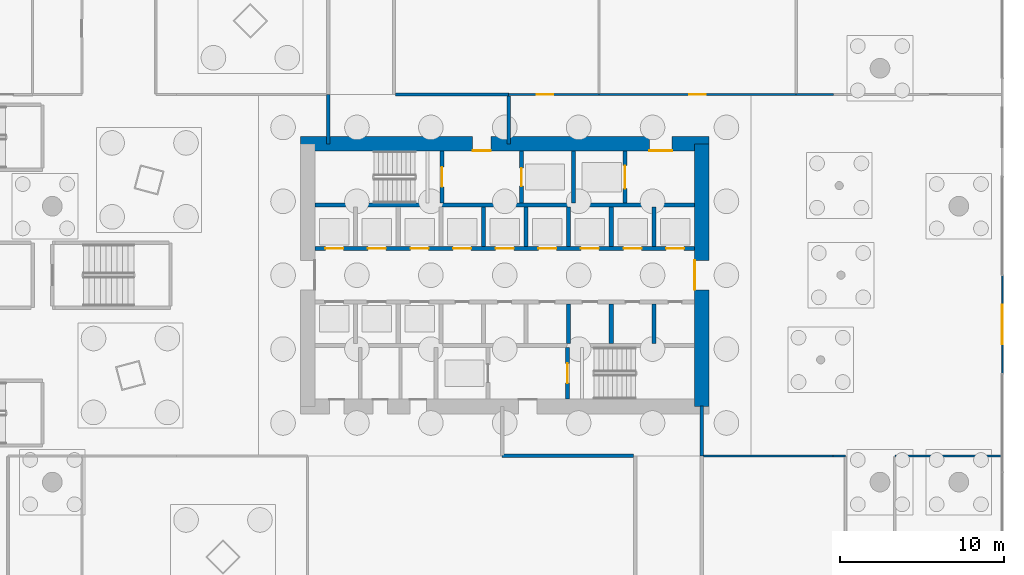
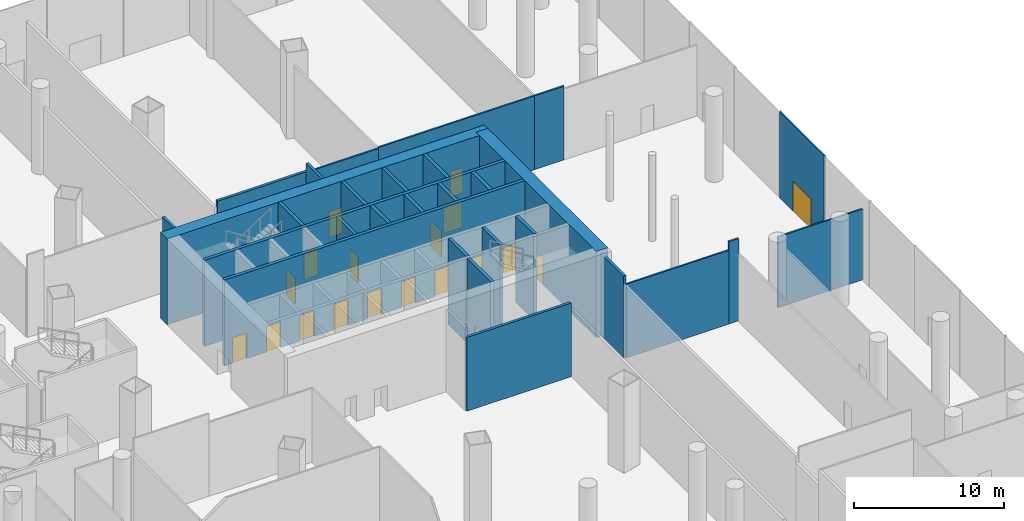
# One storey, part 32 of 41: 29 walls, 19 doors, 19 openings.
"""IFC4 building model written with IfcOpenShell, lengths in metres."""

from ifc_helpers import new_model, si_unit, direction, frame, frame_2d, origin, place, context, subcontext, project, spatial, rectangle, extrude, material, layer, layer_set, type_object, element, fill, save


model = new_model("IFC4")

# Units and contexts
model_context = context("Model", 3, precision=1e-05, world=origin(), true_north=direction((0.0, 1.0)))
body_context = subcontext(model_context, "Body", "Model", "MODEL_VIEW")
ifc_project = project(units=[si_unit("LENGTHUNIT", "METRE"), si_unit("AREAUNIT", "SQUARE_METRE"), si_unit("VOLUMEUNIT", "CUBIC_METRE"), si_unit("PLANEANGLEUNIT", "RADIAN"), si_unit("MASSUNIT", "GRAM", prefix="KILO")], contexts=[model_context])

# Site, building, storey
site_placement = place(None, origin())
site = spatial("IfcSite", under=ifc_project, at=site_placement, CompositionType="ELEMENT")
building_placement = place(site_placement, origin())
building = spatial("IfcBuilding", under=site, at=building_placement, Name="Rimbun Link Towers", CompositionType="ELEMENT")
storey_placement = place(building_placement, origin())
storey = spatial("IfcBuildingStorey", under=building, at=storey_placement, Name="L00", CompositionType="ELEMENT", Elevation=0.0)

# Wall, openings, doors
ifc_material_1 = material(Name="Concrete C60/75", Category="concrete")
ifc_layer_1 = layer(ifc_material_1, 0.89990234375)
ifc_layer_set_1 = layer_set([ifc_layer_1], Name="Core shear wall 900")
wall_type_1 = type_object("IfcWallType", Name="Core shear wall 900", PredefinedType="SHEAR", material=ifc_layer_set_1)
wall_1_placement = place(storey_placement, frame((19.300048828125, 8.0, 0.0), z_axis=(0.0, 0.0, 1.0), x_axis=(1.0, 0.0, 0.0)))
wall_1 = element("IfcWall", 1, at=wall_1_placement, inside=storey, type_object=wall_type_1, Name="L00 T2 core wall N", PredefinedType="SHEAR", context=body_context, shape_type="SweptSolid", body=[
    extrude(rectangle(XDim=24.89990234375, YDim=0.89990234375, at=frame_2d((12.449951171875, 0.0))), origin(), (0.0, 0.0, 1.0), 7.0),
])
opening_1_placement = place(wall_1_placement, frame((10.5, 0.0, 0.0)))
opening_1 = element("IfcOpeningElement", 2, at=opening_1_placement, cuts=wall_1, Name="Opening C2DCF01N", PredefinedType="OPENING", context=body_context, shape_type="SweptSolid", body=[
    extrude(rectangle(XDim=1.10009765625, YDim=2.10009765625, at=frame_2d((0.550048828125, 1.050048828125))), frame((0.0, 0.4599609375, 0.0), z_axis=(0.0, -1.0, 0.0), x_axis=(1.0, 0.0, 0.0)), (0.0, 0.0, 1.0), 0.919921875),
])
opening_2_placement = place(wall_1_placement, frame((21.25, 0.0, 0.0)))
opening_2 = element("IfcOpeningElement", 3, at=opening_2_placement, cuts=wall_1, Name="Opening C2DSL02N", PredefinedType="OPENING", context=body_context, shape_type="SweptSolid", body=[
    extrude(rectangle(XDim=1.39990234375, YDim=2.10009765625, at=frame_2d((0.699951171875, 1.050048828125))), frame((0.0, 0.4599609375, 0.0), z_axis=(0.0, -1.0, 0.0), x_axis=(1.0, 0.0, 0.0)), (0.0, 0.0, 1.0), 0.919921875),
])
ifc_material_2 = material(Name="Steel fire door set", Category="steel")
door_type_1 = type_object("IfcDoorType", Name="Core fire door single", OperationType="SINGLE_SWING_LEFT", PredefinedType="DOOR", material=ifc_material_2)
door_1_placement = place(opening_1_placement, origin())
door_1 = element("IfcDoor", 4, at=door_1_placement, inside=storey, type_object=door_type_1, Name="L00 T2 firefighting lobby n door", OperationType="SINGLE_SWING_LEFT", OverallHeight=2.10009765625, OverallWidth=1.10009765625, PredefinedType="DOOR", context=body_context, shape_type="SweptSolid", body=[
    extrude(rectangle(XDim=1.10009765625, YDim=2.10009765625, at=frame_2d((0.550048828125, 1.050048828125))), frame((0.0, -0.39990234375, 0.0), z_axis=(0.0, -1.0, 0.0), x_axis=(1.0, 0.0, 0.0)), (0.0, 0.0, 1.0), 0.050048828125),
])
fill(opening_1, door_1)
ifc_material_3 = material(Name="Steel fire door set", Category="steel")
door_type_2 = type_object("IfcDoorType", Name="Service lobby door double", OperationType="DOUBLE_DOOR_SINGLE_SWING", PredefinedType="DOOR", material=ifc_material_3)
door_2_placement = place(opening_2_placement, origin())
door_2 = element("IfcDoor", 5, at=door_2_placement, inside=storey, type_object=door_type_2, Name="L00 T2 service lobby door", OperationType="DOUBLE_DOOR_SINGLE_SWING", OverallHeight=2.10009765625, OverallWidth=1.39990234375, PredefinedType="DOOR", context=body_context, shape_type="SweptSolid", body=[
    extrude(rectangle(XDim=1.39990234375, YDim=2.10009765625, at=frame_2d((0.699951171875, 1.050048828125))), frame((0.0, -0.39990234375, 0.0), z_axis=(0.0, -1.0, 0.0), x_axis=(1.0, 0.0, 0.0)), (0.0, 0.0, 1.0), 0.050048828125),
])
fill(opening_2, door_2)

# Wall, opening, door
wall_2_placement = place(storey_placement, frame((43.75, -8.0, 0.0), z_axis=(0.0, 0.0, 1.0), x_axis=(0.0, 1.0, 0.0)))
wall_2 = element("IfcWall", 6, at=wall_2_placement, inside=storey, type_object=wall_type_1, Name="L00 T2 core wall E", PredefinedType="SHEAR", context=body_context, shape_type="SweptSolid", body=[
    extrude(rectangle(XDim=16.0, YDim=0.89990234375, at=frame_2d((8.0, 0.0))), origin(), (0.0, 0.0, 1.0), 7.0),
])
opening_3_placement = place(wall_2_placement, frame((7.10009765625, 0.0, 0.0)))
opening_3 = element("IfcOpeningElement", 7, at=opening_3_placement, cuts=wall_2, Name="Opening C2DCL01E", PredefinedType="OPENING", context=body_context, shape_type="SweptSolid", body=[
    extrude(rectangle(XDim=1.800048828125, YDim=2.10009765625, at=frame_2d((0.89990234375, 1.050048828125))), frame((0.0, 0.4599609375, 0.0), z_axis=(0.0, -1.0, 0.0), x_axis=(1.0, 0.0, 0.0)), (0.0, 0.0, 1.0), 0.919921875),
])
ifc_material_4 = material(Name="Steel fire door set", Category="steel")
door_type_3 = type_object("IfcDoorType", Name="Core lobby door double", OperationType="DOUBLE_DOOR_SINGLE_SWING", PredefinedType="DOOR", material=ifc_material_4)
door_3_placement = place(opening_3_placement, origin())
door_3 = element("IfcDoor", 8, at=door_3_placement, inside=storey, type_object=door_type_3, Name="L00 T2 lift lobby door", OperationType="DOUBLE_DOOR_SINGLE_SWING", OverallHeight=2.10009765625, OverallWidth=1.800048828125, PredefinedType="DOOR", context=body_context, shape_type="SweptSolid", body=[
    extrude(rectangle(XDim=1.800048828125, YDim=2.10009765625, at=frame_2d((0.89990234375, 1.050048828125))), frame((0.0, 0.4501953125, 0.0), z_axis=(0.0, -1.0, 0.0), x_axis=(1.0, 0.0, 0.0)), (0.0, 0.0, 1.0), 0.050048828125),
])
fill(opening_3, door_3)

ifc_material_5 = material(Name="Aluminium framed insulated infill panel", Category="aluminium")
ifc_layer_2 = layer(ifc_material_5, 0.10009765625)
ifc_layer_set_2 = layer_set([ifc_layer_2], Name="ED framed infill wall 100")
wall_type_2 = type_object("IfcWallType", Name="ED framed infill wall 100", PredefinedType="STANDARD", material=ifc_layer_set_2)
wall_3_placement = place(storey_placement, frame((62.050048828125, -0.02001953125, 0.0), z_axis=(0.0, 0.0, 1.0), x_axis=(0.0, -1.0, 0.0)))
wall_3 = element("IfcWall", 9, at=wall_3_placement, inside=storey, type_object=wall_type_2, Name="Framed door bay wall", PredefinedType="STANDARD", context=body_context, shape_type="SweptSolid", body=[
    extrude(rectangle(XDim=5.9599609375, YDim=0.10009765625, at=frame_2d((2.97998046875, 0.0))), origin(), (0.0, 0.0, 1.0), 7.0),
])
opening_4_placement = place(wall_3_placement, frame((1.780029296875, 0.0, 0.0)))
opening_4 = element("IfcOpeningElement", 10, at=opening_4_placement, cuts=wall_3, Name="Opening ED02", PredefinedType="OPENING", context=body_context, shape_type="SweptSolid", body=[
    extrude(rectangle(XDim=2.39990234375, YDim=2.39990234375, at=frame_2d((1.199951171875, 1.199951171875))), frame((0.0, 0.06005859375, 0.0), z_axis=(0.0, -1.0, 0.0), x_axis=(1.0, 0.0, 0.0)), (0.0, 0.0, 1.0), 0.1201171875),
])
ifc_material_6 = material(Name="Aluminium framed glazed door, low-iron glass", Category="aluminium")
door_type_4 = type_object("IfcDoorType", Name="ED entrance door double leaf 2400X2400", OperationType="DOUBLE_DOOR_SINGLE_SWING", PredefinedType="DOOR", material=ifc_material_6)
door_4_placement = place(opening_4_placement, origin())
door_4 = element("IfcDoor", 11, at=door_4_placement, inside=storey, type_object=door_type_4, Name="Entrance door", OperationType="SINGLE_SWING_LEFT", OverallHeight=2.39990234375, OverallWidth=2.39990234375, PredefinedType="DOOR", context=body_context, shape_type="SweptSolid", body=[
    extrude(rectangle(XDim=2.39990234375, YDim=2.39990234375, at=frame_2d((1.199951171875, 1.199951171875))), frame((0.0, 0.02490234375, 0.0), z_axis=(0.0, -1.0, 0.0), x_axis=(1.0, 0.0, 0.0)), (0.0, 0.0, 1.0), 0.050048828125),
])
fill(opening_4, door_4)

# Walls
ifc_material_7 = material(Name="Concrete blockwork", Category="masonry")
ifc_layer_3 = layer(ifc_material_7, 0.199951171875)
ifc_layer_set_3 = layer_set([ifc_layer_3], Name="Fire partition 200 blockwork")
wall_type_3 = type_object("IfcWallType", Name="Fire partition 200 blockwork", PredefinedType="PARTITIONING", material=ifc_layer_set_3)
wall_4_placement = place(storey_placement, frame((21.0, 11.0, 0.0), z_axis=(0.0, 0.0, 1.0), x_axis=(0.0, -1.0, 0.0)))
element("IfcWall", 12, at=wall_4_placement, inside=storey, type_object=wall_type_3, Name="PD/PW/L00/045", PredefinedType="PARTITIONING", context=body_context, shape_type="SweptSolid", body=[
    extrude(rectangle(XDim=3.0, YDim=0.199951171875, at=frame_2d((1.5, 0.0))), origin(), (0.0, 0.0, 1.0), 6.14697265625),
])
wall_5_placement = place(storey_placement, frame((32.0, 8.0, 0.0), z_axis=(0.0, 0.0, 1.0), x_axis=(0.0, 1.0, 0.0)))
element("IfcWall", 13, at=wall_5_placement, inside=storey, type_object=wall_type_3, Name="PD/PW/L00/046", PredefinedType="PARTITIONING", context=body_context, shape_type="SweptSolid", body=[
    extrude(rectangle(XDim=2.89990234375, YDim=0.199951171875, at=frame_2d((1.449951171875, 0.0))), origin(), (0.0, 0.0, 1.0), 6.699951171875),
])
wall_6_placement = place(storey_placement, frame((32.02001953125, 11.0, 0.0), z_axis=(0.0, 0.0, 1.0), x_axis=(-1.0, 0.0, 0.0)))
element("IfcWall", 14, at=wall_6_placement, inside=storey, type_object=wall_type_3, Name="PD/PW/L00/049", PredefinedType="PARTITIONING", context=body_context, shape_type="SweptSolid", body=[
    extrude(rectangle(XDim=6.919921875, YDim=0.199951171875, at=frame_2d((3.4599609375, 0.0))), origin(), (0.0, 0.0, 1.0), 5.99609375),
])
wall_7_placement = place(storey_placement, frame((43.75, -11.0, 0.0), z_axis=(0.0, 0.0, 1.0), x_axis=(0.0, 1.0, 0.0)))
element("IfcWall", 15, at=wall_7_placement, inside=storey, type_object=wall_type_3, Name="PD/PW/L00/051", PredefinedType="PARTITIONING", context=body_context, shape_type="SweptSolid", body=[
    extrude(rectangle(XDim=3.02001953125, YDim=0.199951171875, at=frame_2d((1.510009765625, 0.0))), origin(), (0.0, 0.0, 1.0), 6.699951171875),
])
wall_8_placement = place(storey_placement, frame((31.580078125, -11.0, 0.0), z_axis=(0.0, 0.0, 1.0), x_axis=(1.0, 0.0, 0.0)))
element("IfcWall", 16, at=wall_8_placement, inside=storey, type_object=wall_type_3, Name="PD/PW/L00/053", PredefinedType="PARTITIONING", context=body_context, shape_type="SweptSolid", body=[
    extrude(rectangle(XDim=8.02001953125, YDim=0.199951171875, at=frame_2d((4.010009765625, 0.0))), origin(), (0.0, 0.0, 1.0), 5.99609375),
])
ifc_material_8 = material(Name="Gypsum board on steel studs", Category="steel")
ifc_layer_4 = layer(ifc_material_8, 0.125)
ifc_layer_set_4 = layer_set([ifc_layer_4], Name="Partition 125 board on studs")
wall_type_4 = type_object("IfcWallType", Name="Partition 125 board on studs", PredefinedType="PARTITIONING", material=ifc_layer_set_4)
wall_9_placement = place(storey_placement, frame((43.85009765625, -11.0, 0.0), z_axis=(0.0, 0.0, 1.0), x_axis=(1.0, 0.0, 0.0)))
element("IfcWall", 17, at=wall_9_placement, inside=storey, type_object=wall_type_4, Name="PD/PW/L00/064", PredefinedType="PARTITIONING", context=body_context, shape_type="SweptSolid", body=[
    extrude(rectangle(XDim=7.919921875, YDim=0.125, at=frame_2d((3.9599609375, 0.0))), origin(), (0.0, 0.0, 1.0), 5.99609375),
])

# Wall, opening, door
wall_10_placement = place(storey_placement, frame((37.5, 11.0, 0.0), z_axis=(0.0, 0.0, 1.0), x_axis=(-1.0, 0.0, 0.0)))
wall_10 = element("IfcWall", 18, at=wall_10_placement, inside=storey, type_object=wall_type_4, Name="PD/PW/L00/065", PredefinedType="PARTITIONING", context=body_context, shape_type="SweptSolid", body=[
    extrude(rectangle(XDim=5.52001953125, YDim=0.125, at=frame_2d((2.760009765625, 0.0))), origin(), (0.0, 0.0, 1.0), 5.91796875),
])
opening_5_placement = place(wall_10_placement, frame((2.802978515625, 0.0, 0.0)))
opening_5 = element("IfcOpeningElement", 19, at=opening_5_placement, cuts=wall_10, Name="Opening PD D00.24", PredefinedType="OPENING", context=body_context, shape_type="SweptSolid", body=[
    extrude(rectangle(XDim=1.0, YDim=2.10009765625, at=frame_2d((0.5, 1.050048828125))), frame((0.0, 0.072509765625, 0.0), z_axis=(0.0, -1.0, 0.0), x_axis=(1.0, 0.0, 0.0)), (0.0, 0.0, 1.0), 0.14501953125),
])
ifc_material_9 = material(Name="Timber door set", Category="wood")
door_type_5 = type_object("IfcDoorType", Name="Door single leaf 1000 x 2100", OperationType="NOTDEFINED", PredefinedType="DOOR", material=ifc_material_9)
door_5_placement = place(opening_5_placement, origin())
door_5 = element("IfcDoor", 20, at=door_5_placement, inside=storey, type_object=door_type_5, Name="PD/DR/L00/024", OperationType="SINGLE_SWING_LEFT", OverallHeight=2.10009765625, OverallWidth=1.0, PredefinedType="DOOR", context=body_context, shape_type="SweptSolid", body=[
    extrude(rectangle(XDim=1.0, YDim=2.10009765625, at=frame_2d((0.5, 1.050048828125))), frame((0.0, 0.02490234375, 0.0), z_axis=(0.0, -1.0, 0.0), x_axis=(1.0, 0.0, 0.0)), (0.0, 0.0, 1.0), 0.050048828125),
])
fill(opening_5, door_5)

wall_11_placement = place(storey_placement, frame((49.5, 11.0, 0.0), z_axis=(0.0, 0.0, 1.0), x_axis=(-1.0, 0.0, 0.0)))
wall_11 = element("IfcWall", 21, at=wall_11_placement, inside=storey, type_object=wall_type_4, Name="PD/PW/L00/066", PredefinedType="PARTITIONING", context=body_context, shape_type="SweptSolid", body=[
    extrude(rectangle(XDim=12.0, YDim=0.125, at=frame_2d((6.0, 0.0))), origin(), (0.0, 0.0, 1.0), 5.99609375),
])
opening_6_placement = place(wall_11_placement, frame((5.5, 0.0, 0.0)))
opening_6 = element("IfcOpeningElement", 22, at=opening_6_placement, cuts=wall_11, Name="Opening PD D00.25", PredefinedType="OPENING", context=body_context, shape_type="SweptSolid", body=[
    extrude(rectangle(XDim=1.0, YDim=2.10009765625, at=frame_2d((0.5, 1.050048828125))), frame((0.0, 0.072509765625, 0.0), z_axis=(0.0, -1.0, 0.0), x_axis=(1.0, 0.0, 0.0)), (0.0, 0.0, 1.0), 0.14501953125),
])
door_6_placement = place(opening_6_placement, origin())
door_6 = element("IfcDoor", 23, at=door_6_placement, inside=storey, type_object=door_type_5, Name="PD/DR/L00/025", OperationType="SINGLE_SWING_RIGHT", OverallHeight=2.10009765625, OverallWidth=1.0, PredefinedType="DOOR", context=body_context, shape_type="SweptSolid", body=[
    extrude(rectangle(XDim=1.0, YDim=2.10009765625, at=frame_2d((0.5, 1.050048828125))), frame((0.0, 0.02490234375, 0.0), z_axis=(0.0, -1.0, 0.0), x_axis=(1.0, 0.0, 0.0)), (0.0, 0.0, 1.0), 0.050048828125),
])
fill(opening_6, door_6)

# Walls
wall_12_placement = place(storey_placement, frame((51.77001953125, 11.0, 0.0), z_axis=(0.0, 0.0, 1.0), x_axis=(-1.0, 0.0, 0.0)))
element("IfcWall", 24, at=wall_12_placement, inside=storey, type_object=wall_type_4, Name="PD/PW/L00/067", PredefinedType="PARTITIONING", context=body_context, shape_type="SweptSolid", body=[
    extrude(rectangle(XDim=2.27001953125, YDim=0.125, at=frame_2d((1.135009765625, 0.0))), origin(), (0.0, 0.0, 1.0), 5.99609375),
])
wall_13_placement = place(storey_placement, frame((51.72998046875, -11.0, 0.0), z_axis=(0.0, 0.0, 1.0), x_axis=(1.0, 0.0, 0.0)))
element("IfcWall", 25, at=wall_13_placement, inside=storey, type_object=wall_type_4, Name="PD/PW/L00/071", PredefinedType="PARTITIONING", context=body_context, shape_type="SweptSolid", body=[
    extrude(rectangle(XDim=0.77001953125, YDim=0.125, at=frame_2d((0.385009765625, 0.0))), origin(), (0.0, 0.0, 1.0), 6.699951171875),
])
wall_14_placement = place(storey_placement, frame((55.5, -11.0, 0.0), z_axis=(0.0, 0.0, 1.0), x_axis=(1.0, 0.0, 0.0)))
element("IfcWall", 26, at=wall_14_placement, inside=storey, type_object=wall_type_4, Name="PD/PW/L00/072", PredefinedType="PARTITIONING", context=body_context, shape_type="SweptSolid", body=[
    extrude(rectangle(XDim=6.580078125, YDim=0.125, at=frame_2d((3.2900390625, 0.0))), origin(), (0.0, 0.0, 1.0), 5.761962890625),
])
ifc_material_10 = material(Name="Concrete C60/75", Category="concrete")
ifc_layer_5 = layer(ifc_material_10, 0.25)
ifc_layer_set_5 = layer_set([ifc_layer_5], Name="Shaft wall 250")
wall_type_5 = type_object("IfcWallType", Name="Shaft wall 250", PredefinedType="SHEAR", material=ifc_layer_set_5)
wall_15_placement = place(storey_placement, frame((20.199951171875, 4.27490234375, 0.0), z_axis=(0.0, 0.0, 1.0), x_axis=(1.0, 0.0, 0.0)))
element("IfcWall", 27, at=wall_15_placement, inside=storey, type_object=wall_type_5, Name="L00 T2 core wall BN", PredefinedType="SHEAR", context=body_context, shape_type="SweptSolid", body=[
    extrude(rectangle(XDim=23.10009765625, YDim=0.25, at=frame_2d((11.550048828125, 0.0))), origin(), (0.0, 0.0, 1.0), 7.0),
])

# Wall, openings, doors
wall_16_placement = place(storey_placement, frame((20.199951171875, 1.625, 0.0), z_axis=(0.0, 0.0, 1.0), x_axis=(1.0, 0.0, 0.0)))
wall_16 = element("IfcWall", 28, at=wall_16_placement, inside=storey, type_object=wall_type_5, Name="L00 T2 core wall FN", PredefinedType="SHEAR", context=body_context, shape_type="SweptSolid", body=[
    extrude(rectangle(XDim=23.10009765625, YDim=0.25, at=frame_2d((11.550048828125, 0.0))), origin(), (0.0, 0.0, 1.0), 7.0),
])
opening_7_placement = place(wall_16_placement, frame((0.622314453125, 0.0, 0.0)))
opening_7 = element("IfcOpeningElement", 29, at=opening_7_placement, cuts=wall_16, Name="Opening LD-T2-LR1", PredefinedType="OPENING", context=body_context, shape_type="SweptSolid", body=[
    extrude(rectangle(XDim=1.10009765625, YDim=2.10009765625, at=frame_2d((0.550048828125, 1.050048828125))), frame((0.0, 0.135009765625, 0.0), z_axis=(0.0, -1.0, 0.0), x_axis=(1.0, 0.0, 0.0)), (0.0, 0.0, 1.0), 0.27001953125),
])
opening_8_placement = place(wall_16_placement, frame((3.216796875, 0.0, 0.0)))
opening_8 = element("IfcOpeningElement", 30, at=opening_8_placement, cuts=wall_16, Name="Opening LD-T2-LR2", PredefinedType="OPENING", context=body_context, shape_type="SweptSolid", body=[
    extrude(rectangle(XDim=1.10009765625, YDim=2.10009765625, at=frame_2d((0.550048828125, 1.050048828125))), frame((0.0, 0.135009765625, 0.0), z_axis=(0.0, -1.0, 0.0), x_axis=(1.0, 0.0, 0.0)), (0.0, 0.0, 1.0), 0.27001953125),
])
opening_9_placement = place(wall_16_placement, frame((5.81103515625, 0.0, 0.0)))
opening_9 = element("IfcOpeningElement", 31, at=opening_9_placement, cuts=wall_16, Name="Opening LD-T2-LR3", PredefinedType="OPENING", context=body_context, shape_type="SweptSolid", body=[
    extrude(rectangle(XDim=1.10009765625, YDim=2.10009765625, at=frame_2d((0.550048828125, 1.050048828125))), frame((0.0, 0.135009765625, 0.0), z_axis=(0.0, -1.0, 0.0), x_axis=(1.0, 0.0, 0.0)), (0.0, 0.0, 1.0), 0.27001953125),
])
opening_10_placement = place(wall_16_placement, frame((8.405517578125, 0.0, 0.0)))
opening_10 = element("IfcOpeningElement", 32, at=opening_10_placement, cuts=wall_16, Name="Opening LD-T2-LR4", PredefinedType="OPENING", context=body_context, shape_type="SweptSolid", body=[
    extrude(rectangle(XDim=1.10009765625, YDim=2.10009765625, at=frame_2d((0.550048828125, 1.050048828125))), frame((0.0, 0.135009765625, 0.0), z_axis=(0.0, -1.0, 0.0), x_axis=(1.0, 0.0, 0.0)), (0.0, 0.0, 1.0), 0.27001953125),
])
opening_11_placement = place(wall_16_placement, frame((11.0, 0.0, 0.0)))
opening_11 = element("IfcOpeningElement", 33, at=opening_11_placement, cuts=wall_16, Name="Opening LD-T2-LR5", PredefinedType="OPENING", context=body_context, shape_type="SweptSolid", body=[
    extrude(rectangle(XDim=1.10009765625, YDim=2.10009765625, at=frame_2d((0.550048828125, 1.050048828125))), frame((0.0, 0.135009765625, 0.0), z_axis=(0.0, -1.0, 0.0), x_axis=(1.0, 0.0, 0.0)), (0.0, 0.0, 1.0), 0.27001953125),
])
opening_12_placement = place(wall_16_placement, frame((13.594482421875, 0.0, 0.0)))
opening_12 = element("IfcOpeningElement", 34, at=opening_12_placement, cuts=wall_16, Name="Opening LD-T2-LR6", PredefinedType="OPENING", context=body_context, shape_type="SweptSolid", body=[
    extrude(rectangle(XDim=1.10009765625, YDim=2.10009765625, at=frame_2d((0.550048828125, 1.050048828125))), frame((0.0, 0.135009765625, 0.0), z_axis=(0.0, -1.0, 0.0), x_axis=(1.0, 0.0, 0.0)), (0.0, 0.0, 1.0), 0.27001953125),
])
opening_13_placement = place(wall_16_placement, frame((16.18896484375, 0.0, 0.0)))
opening_13 = element("IfcOpeningElement", 35, at=opening_13_placement, cuts=wall_16, Name="Opening LD-T2-SH1", PredefinedType="OPENING", context=body_context, shape_type="SweptSolid", body=[
    extrude(rectangle(XDim=1.10009765625, YDim=2.10009765625, at=frame_2d((0.550048828125, 1.050048828125))), frame((0.0, 0.135009765625, 0.0), z_axis=(0.0, -1.0, 0.0), x_axis=(1.0, 0.0, 0.0)), (0.0, 0.0, 1.0), 0.27001953125),
])
opening_14_placement = place(wall_16_placement, frame((18.783203125, 0.0, 0.0)))
opening_14 = element("IfcOpeningElement", 36, at=opening_14_placement, cuts=wall_16, Name="Opening LD-T2-SH2", PredefinedType="OPENING", context=body_context, shape_type="SweptSolid", body=[
    extrude(rectangle(XDim=1.10009765625, YDim=2.10009765625, at=frame_2d((0.550048828125, 1.050048828125))), frame((0.0, 0.135009765625, 0.0), z_axis=(0.0, -1.0, 0.0), x_axis=(1.0, 0.0, 0.0)), (0.0, 0.0, 1.0), 0.27001953125),
])
opening_15_placement = place(wall_16_placement, frame((21.377685546875, 0.0, 0.0)))
opening_15 = element("IfcOpeningElement", 37, at=opening_15_placement, cuts=wall_16, Name="Opening LD-T2-SH3", PredefinedType="OPENING", context=body_context, shape_type="SweptSolid", body=[
    extrude(rectangle(XDim=1.10009765625, YDim=2.10009765625, at=frame_2d((0.550048828125, 1.050048828125))), frame((0.0, 0.135009765625, 0.0), z_axis=(0.0, -1.0, 0.0), x_axis=(1.0, 0.0, 0.0)), (0.0, 0.0, 1.0), 0.27001953125),
])
ifc_material_11 = material(Name="Stainless steel grade 316", Category="steel")
door_type_6 = type_object("IfcDoorType", Name="Lift landing door", OperationType="DOUBLE_DOOR_SLIDING", PredefinedType="DOOR", material=ifc_material_11)
door_7_placement = place(opening_7_placement, origin())
door_7 = element("IfcDoor", 38, at=door_7_placement, inside=storey, type_object=door_type_6, Name="L00 T2 lift LR1 landing door", OperationType="DOUBLE_DOOR_SLIDING", OverallHeight=2.10009765625, OverallWidth=1.10009765625, PredefinedType="DOOR", context=body_context, shape_type="SweptSolid", body=[
    extrude(rectangle(XDim=1.10009765625, YDim=2.10009765625, at=frame_2d((0.550048828125, 1.050048828125))), frame((0.0, 0.02490234375, 0.0), z_axis=(0.0, -1.0, 0.0), x_axis=(1.0, 0.0, 0.0)), (0.0, 0.0, 1.0), 0.050048828125),
])
fill(opening_7, door_7)
door_8_placement = place(opening_8_placement, origin())
door_8 = element("IfcDoor", 39, at=door_8_placement, inside=storey, type_object=door_type_6, Name="L00 T2 lift LR2 landing door", OperationType="DOUBLE_DOOR_SLIDING", OverallHeight=2.10009765625, OverallWidth=1.10009765625, PredefinedType="DOOR", context=body_context, shape_type="SweptSolid", body=[
    extrude(rectangle(XDim=1.10009765625, YDim=2.10009765625, at=frame_2d((0.550048828125, 1.050048828125))), frame((0.0, 0.02490234375, 0.0), z_axis=(0.0, -1.0, 0.0), x_axis=(1.0, 0.0, 0.0)), (0.0, 0.0, 1.0), 0.050048828125),
])
fill(opening_8, door_8)
door_9_placement = place(opening_9_placement, origin())
door_9 = element("IfcDoor", 40, at=door_9_placement, inside=storey, type_object=door_type_6, Name="L00 T2 lift LR3 landing door", OperationType="DOUBLE_DOOR_SLIDING", OverallHeight=2.10009765625, OverallWidth=1.10009765625, PredefinedType="DOOR", context=body_context, shape_type="SweptSolid", body=[
    extrude(rectangle(XDim=1.10009765625, YDim=2.10009765625, at=frame_2d((0.550048828125, 1.050048828125))), frame((0.0, 0.02490234375, 0.0), z_axis=(0.0, -1.0, 0.0), x_axis=(1.0, 0.0, 0.0)), (0.0, 0.0, 1.0), 0.050048828125),
])
fill(opening_9, door_9)
door_10_placement = place(opening_10_placement, origin())
door_10 = element("IfcDoor", 41, at=door_10_placement, inside=storey, type_object=door_type_6, Name="L00 T2 lift LR4 landing door", OperationType="DOUBLE_DOOR_SLIDING", OverallHeight=2.10009765625, OverallWidth=1.10009765625, PredefinedType="DOOR", context=body_context, shape_type="SweptSolid", body=[
    extrude(rectangle(XDim=1.10009765625, YDim=2.10009765625, at=frame_2d((0.550048828125, 1.050048828125))), frame((0.0, 0.02490234375, 0.0), z_axis=(0.0, -1.0, 0.0), x_axis=(1.0, 0.0, 0.0)), (0.0, 0.0, 1.0), 0.050048828125),
])
fill(opening_10, door_10)
door_11_placement = place(opening_11_placement, origin())
door_11 = element("IfcDoor", 42, at=door_11_placement, inside=storey, type_object=door_type_6, Name="L00 T2 lift LR5 landing door", OperationType="DOUBLE_DOOR_SLIDING", OverallHeight=2.10009765625, OverallWidth=1.10009765625, PredefinedType="DOOR", context=body_context, shape_type="SweptSolid", body=[
    extrude(rectangle(XDim=1.10009765625, YDim=2.10009765625, at=frame_2d((0.550048828125, 1.050048828125))), frame((0.0, 0.02490234375, 0.0), z_axis=(0.0, -1.0, 0.0), x_axis=(1.0, 0.0, 0.0)), (0.0, 0.0, 1.0), 0.050048828125),
])
fill(opening_11, door_11)
door_12_placement = place(opening_12_placement, origin())
door_12 = element("IfcDoor", 43, at=door_12_placement, inside=storey, type_object=door_type_6, Name="L00 T2 lift LR6 landing door", OperationType="DOUBLE_DOOR_SLIDING", OverallHeight=2.10009765625, OverallWidth=1.10009765625, PredefinedType="DOOR", context=body_context, shape_type="SweptSolid", body=[
    extrude(rectangle(XDim=1.10009765625, YDim=2.10009765625, at=frame_2d((0.550048828125, 1.050048828125))), frame((0.0, 0.02490234375, 0.0), z_axis=(0.0, -1.0, 0.0), x_axis=(1.0, 0.0, 0.0)), (0.0, 0.0, 1.0), 0.050048828125),
])
fill(opening_12, door_12)
door_13_placement = place(opening_13_placement, origin())
door_13 = element("IfcDoor", 44, at=door_13_placement, inside=storey, type_object=door_type_6, Name="L00 T2 lift SH1 landing door", OperationType="DOUBLE_DOOR_SLIDING", OverallHeight=2.10009765625, OverallWidth=1.10009765625, PredefinedType="DOOR", context=body_context, shape_type="SweptSolid", body=[
    extrude(rectangle(XDim=1.10009765625, YDim=2.10009765625, at=frame_2d((0.550048828125, 1.050048828125))), frame((0.0, 0.02490234375, 0.0), z_axis=(0.0, -1.0, 0.0), x_axis=(1.0, 0.0, 0.0)), (0.0, 0.0, 1.0), 0.050048828125),
])
fill(opening_13, door_13)
door_14_placement = place(opening_14_placement, origin())
door_14 = element("IfcDoor", 45, at=door_14_placement, inside=storey, type_object=door_type_6, Name="L00 T2 lift SH2 landing door", OperationType="DOUBLE_DOOR_SLIDING", OverallHeight=2.10009765625, OverallWidth=1.10009765625, PredefinedType="DOOR", context=body_context, shape_type="SweptSolid", body=[
    extrude(rectangle(XDim=1.10009765625, YDim=2.10009765625, at=frame_2d((0.550048828125, 1.050048828125))), frame((0.0, 0.02490234375, 0.0), z_axis=(0.0, -1.0, 0.0), x_axis=(1.0, 0.0, 0.0)), (0.0, 0.0, 1.0), 0.050048828125),
])
fill(opening_14, door_14)
door_15_placement = place(opening_15_placement, origin())
door_15 = element("IfcDoor", 46, at=door_15_placement, inside=storey, type_object=door_type_6, Name="L00 T2 lift SH3 landing door", OperationType="DOUBLE_DOOR_SLIDING", OverallHeight=2.10009765625, OverallWidth=1.10009765625, PredefinedType="DOOR", context=body_context, shape_type="SweptSolid", body=[
    extrude(rectangle(XDim=1.10009765625, YDim=2.10009765625, at=frame_2d((0.550048828125, 1.050048828125))), frame((0.0, 0.02490234375, 0.0), z_axis=(0.0, -1.0, 0.0), x_axis=(1.0, 0.0, 0.0)), (0.0, 0.0, 1.0), 0.050048828125),
])
fill(opening_15, door_15)

# Walls
for number, where, z_axis, x_axis, name in (
    (47, (30.452880859375, 1.75, 0.0), (0.0, 0.0, 1.0), (0.0, 1.0, 0.0), "L00 T2 core wall DN3"),
    (48, (33.047119140625, 1.75, 0.0), (0.0, 0.0, 1.0), (0.0, 1.0, 0.0), "L00 T2 core wall DN4"),
    (49, (35.6416015625, 1.75, 0.0), (0.0, 0.0, 1.0), (0.0, 1.0, 0.0), "L00 T2 core wall DN5"),
    (50, (38.236083984375, 1.75, 0.0), (0.0, 0.0, 1.0), (0.0, 1.0, 0.0), "L00 T2 core wall DN6"),
    (51, (40.83056640625, 1.75, 0.0), (0.0, 0.0, 1.0), (0.0, 1.0, 0.0), "L00 T2 core wall DN7"),
    (52, (35.6416015625, -4.14990234375, 0.0), (0.0, 0.0, 1.0), (0.0, 1.0, 0.0), "L00 T2 core wall DS5"),
    (53, (38.236083984375, -4.14990234375, 0.0), (0.0, 0.0, 1.0), (0.0, 1.0, 0.0), "L00 T2 core wall DS6"),
    (54, (40.83056640625, -4.14990234375, 0.0), (0.0, 0.0, 1.0), (0.0, 1.0, 0.0), "L00 T2 core wall DS7"),
):
    element("IfcWall", number, at=place(storey_placement, frame(where, z_axis=z_axis, x_axis=x_axis)), inside=storey, type_object=wall_type_5, Name=name, PredefinedType="SHEAR", context=body_context, shape_type="SweptSolid", body=[
        extrude(rectangle(XDim=2.39990234375, YDim=0.25, at=frame_2d((1.199951171875, 0.0))), origin(), (0.0, 0.0, 1.0), 7.0),
    ])

# Wall, opening, door
wall_17_placement = place(storey_placement, frame((27.925048828125, 4.39990234375, 0.0), z_axis=(0.0, 0.0, 1.0), x_axis=(0.0, 1.0, 0.0)))
wall_17 = element("IfcWall", 55, at=wall_17_placement, inside=storey, type_object=wall_type_5, Name="L00 T2 core wall A1", PredefinedType="SHEAR", context=body_context, shape_type="SweptSolid", body=[
    extrude(rectangle(XDim=3.150146484375, YDim=0.25, at=frame_2d((1.5751953125, 0.0))), origin(), (0.0, 0.0, 1.0), 7.0),
])
opening_16_placement = place(wall_17_placement, frame((0.97509765625, 0.0, 0.0)))
opening_16 = element("IfcOpeningElement", 56, at=opening_16_placement, cuts=wall_17, Name="Opening C2DST01A1", PredefinedType="OPENING", context=body_context, shape_type="SweptSolid", body=[
    extrude(rectangle(XDim=1.199951171875, YDim=2.10009765625, at=frame_2d((0.60009765625, 1.050048828125))), frame((0.0, 0.135009765625, 0.0), z_axis=(0.0, -1.0, 0.0), x_axis=(1.0, 0.0, 0.0)), (0.0, 0.0, 1.0), 0.27001953125),
])
ifc_material_12 = material(Name="Steel fire door set", Category="steel")
door_type_7 = type_object("IfcDoorType", Name="Stair door", OperationType="SINGLE_SWING_LEFT", PredefinedType="DOOR", material=ifc_material_12)
door_16_placement = place(opening_16_placement, origin())
door_16 = element("IfcDoor", 57, at=door_16_placement, inside=storey, type_object=door_type_7, Name="L00 T2 stair a door", OperationType="SINGLE_SWING_LEFT", OverallHeight=2.10009765625, OverallWidth=1.199951171875, PredefinedType="DOOR", context=body_context, shape_type="SweptSolid", body=[
    extrude(rectangle(XDim=1.199951171875, YDim=2.10009765625, at=frame_2d((0.60009765625, 1.050048828125))), frame((0.0, 0.02490234375, 0.0), z_axis=(0.0, -1.0, 0.0), x_axis=(1.0, 0.0, 0.0)), (0.0, 0.0, 1.0), 0.050048828125),
])
fill(opening_16, door_16)

wall_18_placement = place(storey_placement, frame((32.77490234375, 4.39990234375, 0.0), z_axis=(0.0, 0.0, 1.0), x_axis=(0.0, 1.0, 0.0)))
wall_18 = element("IfcWall", 58, at=wall_18_placement, inside=storey, type_object=wall_type_5, Name="L00 T2 core wall A2", PredefinedType="SHEAR", context=body_context, shape_type="SweptSolid", body=[
    extrude(rectangle(XDim=3.150146484375, YDim=0.25, at=frame_2d((1.5751953125, 0.0))), origin(), (0.0, 0.0, 1.0), 7.0),
])
opening_17_placement = place(wall_18_placement, frame((1.02490234375, 0.0, 0.0)))
opening_17 = element("IfcOpeningElement", 59, at=opening_17_placement, cuts=wall_18, Name="Opening LD-T2-FF1", PredefinedType="OPENING", context=body_context, shape_type="SweptSolid", body=[
    extrude(rectangle(XDim=1.10009765625, YDim=2.10009765625, at=frame_2d((0.550048828125, 1.050048828125))), frame((0.0, 0.135009765625, 0.0), z_axis=(0.0, -1.0, 0.0), x_axis=(1.0, 0.0, 0.0)), (0.0, 0.0, 1.0), 0.27001953125),
])
door_17_placement = place(opening_17_placement, origin())
door_17 = element("IfcDoor", 60, at=door_17_placement, inside=storey, type_object=door_type_6, Name="L00 T2 lift FF1 landing door", OperationType="DOUBLE_DOOR_SLIDING", OverallHeight=2.10009765625, OverallWidth=1.10009765625, PredefinedType="DOOR", context=body_context, shape_type="SweptSolid", body=[
    extrude(rectangle(XDim=1.10009765625, YDim=2.10009765625, at=frame_2d((0.550048828125, 1.050048828125))), frame((0.0, 0.02490234375, 0.0), z_axis=(0.0, -1.0, 0.0), x_axis=(1.0, 0.0, 0.0)), (0.0, 0.0, 1.0), 0.050048828125),
])
fill(opening_17, door_17)

# Wall
wall_19_placement = place(storey_placement, frame((35.925048828125, 4.39990234375, 0.0), z_axis=(0.0, 0.0, 1.0), x_axis=(0.0, 1.0, 0.0)))
element("IfcWall", 61, at=wall_19_placement, inside=storey, type_object=wall_type_5, Name="L00 T2 core wall A3", PredefinedType="SHEAR", context=body_context, shape_type="SweptSolid", body=[
    extrude(rectangle(XDim=3.150146484375, YDim=0.25, at=frame_2d((1.5751953125, 0.0))), origin(), (0.0, 0.0, 1.0), 7.0),
])

# Wall, opening, door
wall_20_placement = place(storey_placement, frame((39.074951171875, 4.39990234375, 0.0), z_axis=(0.0, 0.0, 1.0), x_axis=(0.0, 1.0, 0.0)))
wall_20 = element("IfcWall", 62, at=wall_20_placement, inside=storey, type_object=wall_type_5, Name="L00 T2 core wall A4", PredefinedType="SHEAR", context=body_context, shape_type="SweptSolid", body=[
    extrude(rectangle(XDim=3.150146484375, YDim=0.25, at=frame_2d((1.5751953125, 0.0))), origin(), (0.0, 0.0, 1.0), 7.0),
])
opening_18_placement = place(wall_20_placement, frame((0.875, 0.0, 0.0)))
opening_18 = element("IfcOpeningElement", 63, at=opening_18_placement, cuts=wall_20, Name="Opening LD-T2-GL1", PredefinedType="OPENING", context=body_context, shape_type="SweptSolid", body=[
    extrude(rectangle(XDim=1.39990234375, YDim=2.10009765625, at=frame_2d((0.699951171875, 1.050048828125))), frame((0.0, 0.135009765625, 0.0), z_axis=(0.0, -1.0, 0.0), x_axis=(1.0, 0.0, 0.0)), (0.0, 0.0, 1.0), 0.27001953125),
])
ifc_material_13 = material(Name="Stainless steel grade 316", Category="steel")
door_type_8 = type_object("IfcDoorType", Name="Goods lift landing door", OperationType="DOUBLE_DOOR_SLIDING", PredefinedType="DOOR", material=ifc_material_13)
door_18_placement = place(opening_18_placement, origin())
door_18 = element("IfcDoor", 64, at=door_18_placement, inside=storey, type_object=door_type_8, Name="L00 T2 lift GL1 landing door", OperationType="DOUBLE_DOOR_SLIDING", OverallHeight=2.10009765625, OverallWidth=1.39990234375, PredefinedType="DOOR", context=body_context, shape_type="SweptSolid", body=[
    extrude(rectangle(XDim=1.39990234375, YDim=2.10009765625, at=frame_2d((0.699951171875, 1.050048828125))), frame((0.0, 0.02490234375, 0.0), z_axis=(0.0, -1.0, 0.0), x_axis=(1.0, 0.0, 0.0)), (0.0, 0.0, 1.0), 0.050048828125),
])
fill(opening_18, door_18)

wall_21_placement = place(storey_placement, frame((35.574951171875, -4.39990234375, 0.0), z_axis=(0.0, 0.0, 1.0), x_axis=(0.0, -1.0, 0.0)))
wall_21 = element("IfcWall", 65, at=wall_21_placement, inside=storey, type_object=wall_type_5, Name="L00 T2 core wall B1", PredefinedType="SHEAR", context=body_context, shape_type="SweptSolid", body=[
    extrude(rectangle(XDim=3.150146484375, YDim=0.25, at=frame_2d((1.5751953125, 0.0))), origin(), (0.0, 0.0, 1.0), 7.0),
])
opening_19_placement = place(wall_21_placement, frame((0.97509765625, 0.0, 0.0)))
opening_19 = element("IfcOpeningElement", 66, at=opening_19_placement, cuts=wall_21, Name="Opening C2DST01B1", PredefinedType="OPENING", context=body_context, shape_type="SweptSolid", body=[
    extrude(rectangle(XDim=1.199951171875, YDim=2.10009765625, at=frame_2d((0.60009765625, 1.050048828125))), frame((0.0, 0.135009765625, 0.0), z_axis=(0.0, -1.0, 0.0), x_axis=(1.0, 0.0, 0.0)), (0.0, 0.0, 1.0), 0.27001953125),
])
door_19_placement = place(opening_19_placement, origin())
door_19 = element("IfcDoor", 67, at=door_19_placement, inside=storey, type_object=door_type_7, Name="L00 T2 stair b door", OperationType="SINGLE_SWING_RIGHT", OverallHeight=2.10009765625, OverallWidth=1.199951171875, PredefinedType="DOOR", context=body_context, shape_type="SweptSolid", body=[
    extrude(rectangle(XDim=1.199951171875, YDim=2.10009765625, at=frame_2d((0.60009765625, 1.050048828125))), frame((0.0, 0.02490234375, 0.0), z_axis=(0.0, -1.0, 0.0), x_axis=(1.0, 0.0, 0.0)), (0.0, 0.0, 1.0), 0.050048828125),
])
fill(opening_19, door_19)

save(model, "model.ifc")
